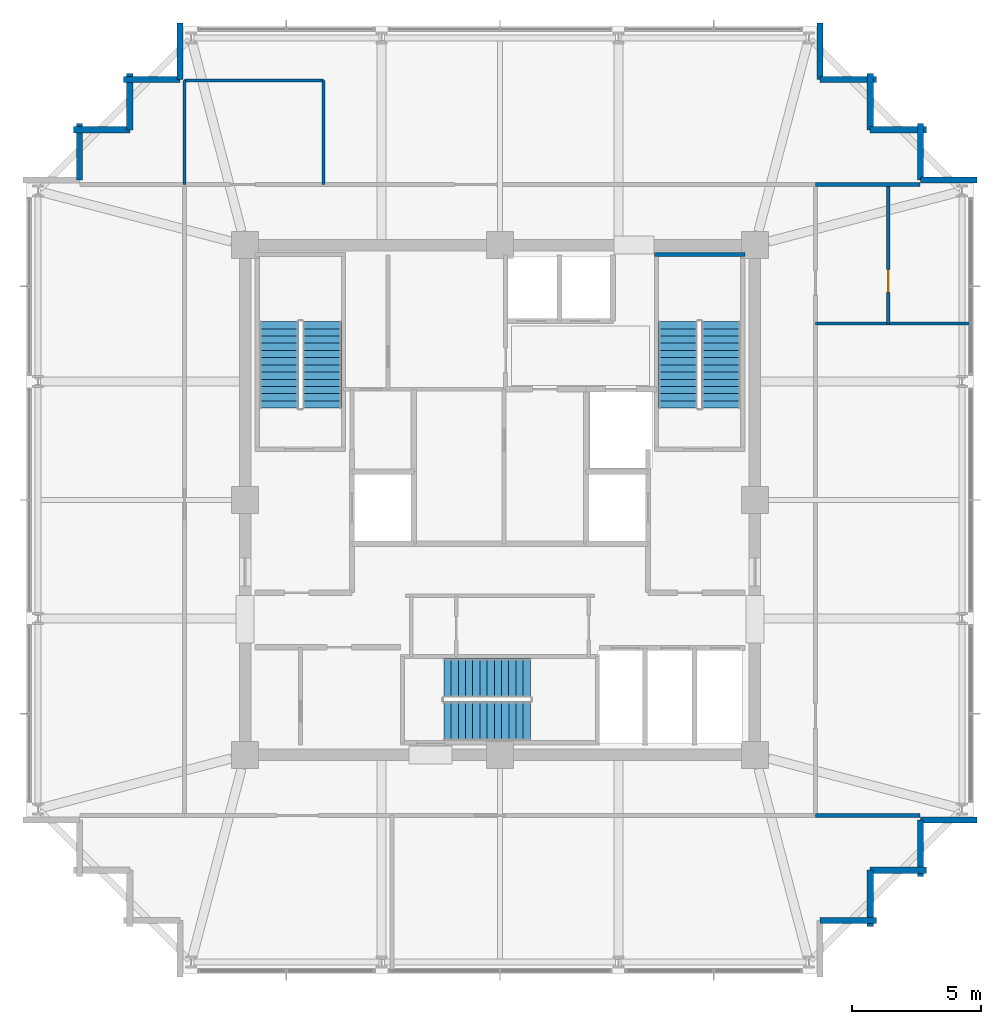
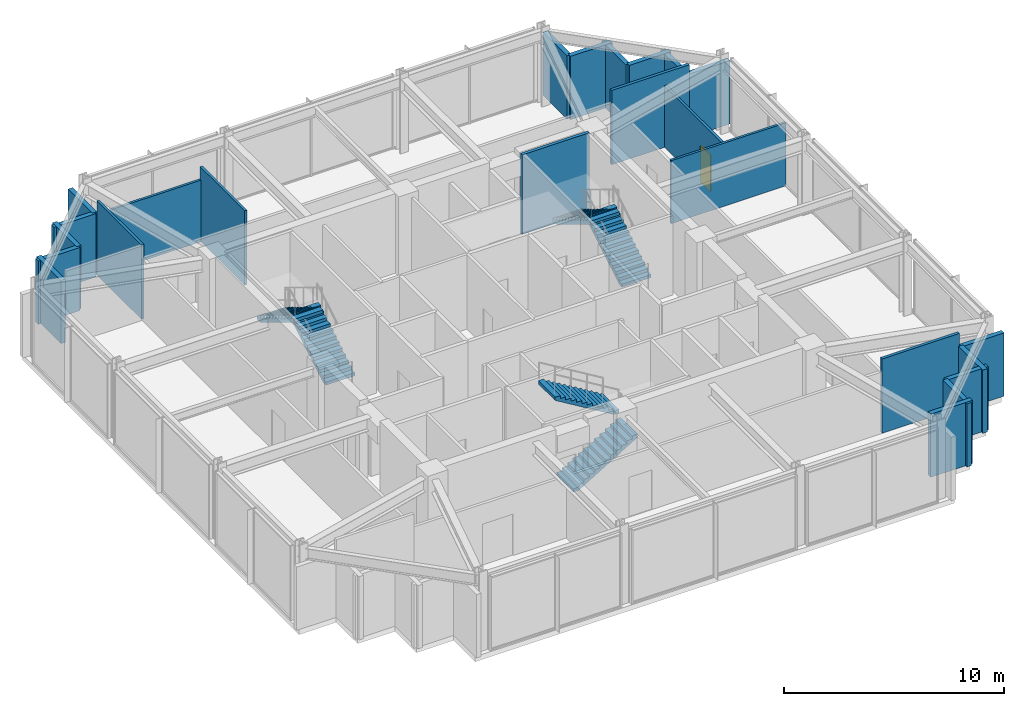
# One storey, part 25 of 26: 24 walls, 6 stair flights, 1 door, 1 opening, 3 elements without a shape of their own.
"""IFC4 building model written with IfcOpenShell, lengths in metres."""

from ifc_helpers import new_model, si_unit, direction, frame, frame_2d, origin, place, context, subcontext, project, spatial, polyline, rectangle, outline, extrude, material, layer, layer_set, type_object, element, fill, aggregate, save


model = new_model("IFC4")

# Units and contexts
model_context = context("Model", 3, precision=1e-05, world=origin(), true_north=direction((0.0, 1.0)))
body_context = subcontext(model_context, "Body", "Model", "MODEL_VIEW")
ifc_project = project(units=[si_unit("LENGTHUNIT", "METRE"), si_unit("AREAUNIT", "SQUARE_METRE"), si_unit("VOLUMEUNIT", "CUBIC_METRE"), si_unit("PLANEANGLEUNIT", "RADIAN"), si_unit("MASSUNIT", "GRAM", prefix="KILO")], contexts=[model_context])

# Site, building, storey
site_placement = place(None, origin())
site = spatial("IfcSite", under=ifc_project, at=site_placement, CompositionType="ELEMENT")
building_placement = place(site_placement, origin())
building = spatial("IfcBuilding", under=site, at=building_placement, Name="Kolvaren Belvedere", CompositionType="ELEMENT")
storey_placement = place(building_placement, frame((0.0, 0.0, 258.39990234375)))
storey = spatial("IfcBuildingStorey", under=building, at=storey_placement, Name="L75", CompositionType="ELEMENT", Elevation=258.39990234375)

# Walls
ifc_material_1 = material(Name="Concrete C50/60", Category="concrete")
ifc_layer_1 = layer(ifc_material_1, 0.159912109375)
ifc_layer_set_1 = layer_set([ifc_layer_1], Name="Concrete C50/60")
wall_type_1 = type_object("IfcWallType", Name="CW-STAIR-160", PredefinedType="SHEAR", material=ifc_layer_set_1)
wall_1_placement = place(storey_placement, frame((6.0, 9.530029296875, 0.0), z_axis=(0.0, 0.0, 1.0), x_axis=(1.0, 0.0, 0.0)))
element("IfcWall", 1, at=wall_1_placement, inside=storey, type_object=wall_type_1, Name="L75 Stair ST-2 North Shear Wall", PredefinedType="SHEAR", context=body_context, shape_type="SweptSolid", body=[
    extrude(rectangle(XDim=3.52001953125, YDim=0.159912109375, at=frame_2d((1.760009765625, 0.0))), origin(), (0.0, 0.0, 1.0), 4.400146484375),
])
ifc_material_2 = material(Name="Gypsum fire-rated partition assembly", Category="gypsum")
ifc_layer_2 = layer(ifc_material_2, 0.14990234375)
ifc_layer_set_2 = layer_set([ifc_layer_2], Name="Gypsum fire-rated partition assembly")
wall_type_2 = type_object("IfcWallType", Name="WL-CORR-150", PredefinedType="PARTITIONING", material=ifc_layer_set_2)
for number, where, z_axis, x_axis, name in (
    (2, (12.260009765625, -12.260009765625, 0.0), (0.0, 0.0, 1.0), (1.0, 0.0, 0.0), "L75 Sector Wall PW-L75-QSE"),
    (3, (12.260009765625, 12.260009765625, 0.0), (0.0, 0.0, 1.0), (1.0, 0.0, 0.0), "L75 Sector Wall PW-L75-QNE"),
):
    element("IfcWall", number, at=place(storey_placement, frame(where, z_axis=z_axis, x_axis=x_axis)), inside=storey, type_object=wall_type_2, Name=name, PredefinedType="PARTITIONING", context=body_context, shape_type="SweptSolid", body=[
        extrude(rectangle(XDim=4.06005859375, YDim=0.14990234375, at=frame_2d((2.030029296875, 0.0))), origin(), (0.0, 0.0, 1.0), 4.1201171875),
    ])
ifc_material_3 = material(Name="Insulated pale-metal facade wall assembly", Category="aluminium")
ifc_layer_3 = layer(ifc_material_3, 0.239990234375)
ifc_layer_set_3 = layer_set([ifc_layer_3], Name="Insulated pale-metal facade wall assembly")
wall_type_3 = type_object("IfcWallType", Name="WL-EXT-240", PredefinedType="STANDARD", material=ifc_layer_set_3)
for number, where, z_axis, x_axis, name in (
    (4, (14.6201171875, -16.330078125, 0.0), (0.0, 0.0, 1.0), (-1.0, 0.0, 0.0), "L75 Serrated Corner Facade Wall 3"),
    (5, (14.3798828125, -14.3798828125, 0.0), (0.0, 0.0, 1.0), (0.0, -1.0, 0.0), "L75 Serrated Corner Facade Wall 4"),
    (6, (16.570068359375, -14.3798828125, 0.0), (0.0, 0.0, 1.0), (-1.0, 0.0, 0.0), "L75 Serrated Corner Facade Wall 5"),
    (7, (16.330078125, -12.429931640625, 0.0), (0.0, 0.0, 1.0), (0.0, -1.0, 0.0), "L75 Serrated Corner Facade Wall 6"),
):
    element("IfcWall", number, at=place(storey_placement, frame(where, z_axis=z_axis, x_axis=x_axis)), inside=storey, type_object=wall_type_3, Name=name, PredefinedType="STANDARD", context=body_context, shape_type="SweptSolid", body=[
        extrude(rectangle(XDim=2.190185546875, YDim=0.239990234375, at=frame_2d((1.09521484375, 0.0))), origin(), (0.0, 0.0, 1.0), 3.503173828125),
    ])
for number, where, z_axis, x_axis, name in (
    (8, (18.52001953125, -12.429931640625, 0.0), (0.0, 0.0, 1.0), (-1.0, 0.0, 0.0), "L75 Serrated Corner Facade Wall 7"),
    (9, (16.330078125, 12.429931640625, 0.0), (0.0, 0.0, 1.0), (1.0, 0.0, 0.0), "L75 Serrated Corner Facade Wall 9"),
):
    element("IfcWall", number, at=place(storey_placement, frame(where, z_axis=z_axis, x_axis=x_axis)), inside=storey, type_object=wall_type_3, Name=name, PredefinedType="STANDARD", context=body_context, shape_type="SweptSolid", body=[
        extrude(rectangle(XDim=2.18994140625, YDim=0.239990234375, at=frame_2d((1.094970703125, 0.0))), origin(), (0.0, 0.0, 1.0), 3.503173828125),
    ])
for number, where, z_axis, x_axis, name in (
    (10, (16.330078125, 14.6201171875, 0.0), (0.0, 0.0, 1.0), (0.0, -1.0, 0.0), "L75 Serrated Corner Facade Wall 10"),
    (11, (14.3798828125, 14.3798828125, 0.0), (0.0, 0.0, 1.0), (1.0, 0.0, 0.0), "L75 Serrated Corner Facade Wall 11"),
    (12, (14.3798828125, 16.570068359375, 0.0), (0.0, 0.0, 1.0), (0.0, -1.0, 0.0), "L75 Serrated Corner Facade Wall 12"),
    (13, (12.429931640625, 16.330078125, 0.0), (0.0, 0.0, 1.0), (1.0, 0.0, 0.0), "L75 Serrated Corner Facade Wall 13"),
):
    element("IfcWall", number, at=place(storey_placement, frame(where, z_axis=z_axis, x_axis=x_axis)), inside=storey, type_object=wall_type_3, Name=name, PredefinedType="STANDARD", context=body_context, shape_type="SweptSolid", body=[
        extrude(rectangle(XDim=2.190185546875, YDim=0.239990234375, at=frame_2d((1.09521484375, 0.0))), origin(), (0.0, 0.0, 1.0), 3.503173828125),
    ])
for number, where, z_axis, x_axis, name in (
    (14, (12.429931640625, 18.52001953125, 0.0), (0.0, 0.0, 1.0), (0.0, -1.0, 0.0), "L75 Serrated Corner Facade Wall 14"),
    (15, (-12.429931640625, 16.330078125, 0.0), (0.0, 0.0, 1.0), (0.0, 1.0, 0.0), "L75 Serrated Corner Facade Wall 16"),
):
    element("IfcWall", number, at=place(storey_placement, frame(where, z_axis=z_axis, x_axis=x_axis)), inside=storey, type_object=wall_type_3, Name=name, PredefinedType="STANDARD", context=body_context, shape_type="SweptSolid", body=[
        extrude(rectangle(XDim=2.18994140625, YDim=0.239990234375, at=frame_2d((1.094970703125, 0.0))), origin(), (0.0, 0.0, 1.0), 3.503173828125),
    ])
for number, where, z_axis, x_axis, name in (
    (16, (-14.6201171875, 16.330078125, 0.0), (0.0, 0.0, 1.0), (1.0, 0.0, 0.0), "L75 Serrated Corner Facade Wall 17"),
    (17, (-14.3798828125, 14.3798828125, 0.0), (0.0, 0.0, 1.0), (0.0, 1.0, 0.0), "L75 Serrated Corner Facade Wall 18"),
    (18, (-16.570068359375, 14.3798828125, 0.0), (0.0, 0.0, 1.0), (1.0, 0.0, 0.0), "L75 Serrated Corner Facade Wall 19"),
    (19, (-16.330078125, 12.429931640625, 0.0), (0.0, 0.0, 1.0), (0.0, 1.0, 0.0), "L75 Serrated Corner Facade Wall 20"),
):
    element("IfcWall", number, at=place(storey_placement, frame(where, z_axis=z_axis, x_axis=x_axis)), inside=storey, type_object=wall_type_3, Name=name, PredefinedType="STANDARD", context=body_context, shape_type="SweptSolid", body=[
        extrude(rectangle(XDim=2.190185546875, YDim=0.239990234375, at=frame_2d((1.09521484375, 0.0))), origin(), (0.0, 0.0, 1.0), 3.503173828125),
    ])
ifc_material_4 = material(Name="Moisture-resistant gypsum partition", Category="gypsum")
ifc_layer_4 = layer(ifc_material_4, 0.125)
ifc_layer_set_4 = layer_set([ifc_layer_4], Name="Moisture-resistant gypsum partition")
wall_type_4 = type_object("IfcWallType", Name="WL-WET-125", PredefinedType="PARTITIONING", material=ifc_layer_set_4)
wall_2_placement = place(storey_placement, frame((12.260009765625, 6.860107421875, 0.0), z_axis=(0.0, 0.0, 1.0), x_axis=(1.0, 0.0, 0.0)))
element("IfcWall", 20, at=wall_2_placement, inside=storey, type_object=wall_type_4, Name="L75 East Washroom Wall", PredefinedType="PARTITIONING", context=body_context, shape_type="SweptSolid", body=[
    extrude(rectangle(XDim=6.02001953125, YDim=0.125, at=frame_2d((3.010009765625, 0.0))), origin(), (0.0, 0.0, 1.0), 3.4931640625),
])

# Wall, opening, door
wall_3_placement = place(storey_placement, frame((15.080078125, 6.860107421875, 0.0), z_axis=(0.0, 0.0, 1.0), x_axis=(0.0, 1.0, 0.0)))
wall_3 = element("IfcWall", 21, at=wall_3_placement, inside=storey, type_object=wall_type_4, Name="L75 East Washroom Back Wall", PredefinedType="PARTITIONING", context=body_context, shape_type="SweptSolid", body=[
    extrude(rectangle(XDim=5.39990234375, YDim=0.125, at=frame_2d((2.699951171875, 0.0))), origin(), (0.0, 0.0, 1.0), 3.4091796875),
])
opening_placement = place(wall_3_placement, frame((1.199951171875, 0.0, 0.0)))
opening = element("IfcOpeningElement", 22, at=opening_placement, cuts=wall_3, Name="Opening D-INT90", PredefinedType="OPENING", context=body_context, shape_type="SweptSolid", body=[
    extrude(rectangle(XDim=0.89990234375, YDim=2.06005859375, at=frame_2d((0.449951171875, 1.030029296875))), frame((0.0, 0.072509765625, 0.0), z_axis=(0.0, -1.0, 0.0), x_axis=(1.0, 0.0, 0.0)), (0.0, 0.0, 1.0), 0.14501953125),
])
ifc_material_5 = material(Name="Stained Pacific white oak", Category="timber")
door_type = type_object("IfcDoorType", Name="DR-INT-900", OperationType="NOTDEFINED", PredefinedType="DOOR", material=ifc_material_5)
door_placement = place(opening_placement, origin())
door = element("IfcDoor", 23, at=door_placement, inside=storey, type_object=door_type, Name="L75 Hospitality Service Pantry Door", OperationType="SINGLE_SWING_LEFT", OverallHeight=2.06005859375, OverallWidth=0.89990234375, PredefinedType="DOOR", context=body_context, shape_type="SweptSolid", body=[
    extrude(rectangle(XDim=0.89990234375, YDim=2.06005859375, at=frame_2d((0.449951171875, 1.030029296875))), frame((0.0, 0.02490234375, 0.0), z_axis=(0.0, -1.0, 0.0), x_axis=(1.0, 0.0, 0.0)), (0.0, 0.0, 1.0), 0.050048828125),
])
fill(opening, door)

# Walls
for number, where, z_axis, x_axis, name in (
    (24, (-12.260009765625, 12.260009765625, 0.0), (0.0, 0.0, 1.0), (0.0, 1.0, 0.0), "L75 Accessible WC West Wall"),
    (25, (-6.860107421875, 12.260009765625, 0.0), (0.0, 0.0, 1.0), (0.0, 1.0, 0.0), "L75 Accessible WC East Wall"),
):
    element("IfcWall", number, at=place(storey_placement, frame(where, z_axis=z_axis, x_axis=x_axis)), inside=storey, type_object=wall_type_4, Name=name, PredefinedType="PARTITIONING", context=body_context, shape_type="SweptSolid", body=[
        extrude(rectangle(XDim=4.0400390625, YDim=0.125, at=frame_2d((2.02001953125, 0.0))), origin(), (0.0, 0.0, 1.0), 4.1201171875),
    ])
wall_4_placement = place(storey_placement, frame((-12.260009765625, 16.300048828125, 0.0), z_axis=(0.0, 0.0, 1.0), x_axis=(1.0, 0.0, 0.0)))
element("IfcWall", 26, at=wall_4_placement, inside=storey, type_object=wall_type_4, Name="L75 Accessible WC North Wall", PredefinedType="PARTITIONING", context=body_context, shape_type="SweptSolid", body=[
    extrude(rectangle(XDim=5.39990234375, YDim=0.125, at=frame_2d((2.699951171875, 0.0))), origin(), (0.0, 0.0, 1.0), 3.4091796875),
])

# Stair, stair flights
ifc_material_6 = material(Name="Concrete C50/60", Category="concrete")
stair_type = type_object("IfcStairType", Name="ST-CORE-1520", PredefinedType="HALF_TURN_STAIR", material=ifc_material_6)
stair_1_placement = place(storey_placement, origin())
stair_1 = element("IfcStair", 27, at=stair_1_placement, inside=storey, type_object=stair_type, Name="L75 Protected Exit Stair ST-1", PredefinedType="HALF_TURN_STAIR")
ifc_material_7 = material(Name="Concrete C50/60", Category="concrete")
stair_flight_type = type_object("IfcStairFlightType", Name="SF-STR-1520", PredefinedType="STRAIGHT", material=ifc_material_7)
stair_flight_1_placement = place(storey_placement, frame((-6.919921875, 3.570068359375, 0.0), z_axis=(0.0, 0.0, 1.0), x_axis=(0.0, 1.0, 0.0)))
stair_flight_1 = element("IfcStairFlight", 28, at=stair_flight_1_placement, type_object=stair_flight_type, Name="ST-1 flight 1", NumberOfRisers=13, NumberOfTreads=12, PredefinedType="STRAIGHT", RiserHeight=0.169230769, TreadLength=0.28, context=body_context, shape_type="SweptSolid", body=[
    extrude(outline(polyline([(0.0, 0.0), (0.0, 0.169189453125), (0.280029296875, 0.169189453125), (0.280029296875, 0.33837890625), (0.56005859375, 0.33837890625), (0.56005859375, 0.5078125), (0.840087890625, 0.5078125), (0.840087890625, 0.677001953125), (1.1201171875, 0.677001953125), (1.1201171875, 0.84619140625), (1.39990234375, 0.84619140625), (1.39990234375, 1.015380859375), (1.679931640625, 1.015380859375), (1.679931640625, 1.1845703125), (1.9599609375, 1.1845703125), (1.9599609375, 1.353759765625), (2.239990234375, 1.353759765625), (2.239990234375, 1.523193359375), (2.52001953125, 1.523193359375), (2.52001953125, 1.6923828125), (2.800048828125, 1.6923828125), (2.800048828125, 1.861572265625), (3.080078125, 1.861572265625), (3.080078125, 2.03076171875), (3.360107421875, 2.03076171875), (3.360107421875, 2.199951171875), (3.360107421875, 1.855712890625), (0.289794921875, 0.0), (0.0, 0.0)])), frame((0.0, 0.760009765625, 0.0), z_axis=(0.0, -1.0, 0.0), x_axis=(1.0, 0.0, 0.0)), (0.0, 0.0, 1.0), 1.52001953125),
])
stair_flight_2_placement = place(storey_placement, frame((-8.590087890625, 6.929931640625, 2.2001953125), z_axis=(0.0, 0.0, 1.0), x_axis=(0.0, -1.0, 0.0)))
stair_flight_2 = element("IfcStairFlight", 29, at=stair_flight_2_placement, type_object=stair_flight_type, Name="ST-1 flight 2", NumberOfRisers=13, NumberOfTreads=12, PredefinedType="STRAIGHT", RiserHeight=0.169230769, TreadLength=0.28, context=body_context, shape_type="SweptSolid", body=[
    extrude(outline(polyline([(0.0, 0.0), (0.0, 0.169189453125), (0.280029296875, 0.169189453125), (0.280029296875, 0.33837890625), (0.56005859375, 0.33837890625), (0.56005859375, 0.5078125), (0.840087890625, 0.5078125), (0.840087890625, 0.677001953125), (1.1201171875, 0.677001953125), (1.1201171875, 0.84619140625), (1.39990234375, 0.84619140625), (1.39990234375, 1.015380859375), (1.679931640625, 1.015380859375), (1.679931640625, 1.1845703125), (1.9599609375, 1.1845703125), (1.9599609375, 1.353759765625), (2.239990234375, 1.353759765625), (2.239990234375, 1.523193359375), (2.52001953125, 1.523193359375), (2.52001953125, 1.6923828125), (2.800048828125, 1.6923828125), (2.800048828125, 1.861572265625), (3.080078125, 1.861572265625), (3.080078125, 2.03076171875), (3.360107421875, 2.03076171875), (3.360107421875, 2.199951171875), (3.360107421875, 1.855712890625), (0.289794921875, 0.0), (0.0, 0.0)])), frame((0.0, 0.760009765625, 0.0), z_axis=(0.0, -1.0, 0.0), x_axis=(1.0, 0.0, 0.0)), (0.0, 0.0, 1.0), 1.52001953125),
])
aggregate(stair_1, [stair_flight_1, stair_flight_2])

stair_2_placement = place(storey_placement, origin())
stair_2 = element("IfcStair", 30, at=stair_2_placement, inside=storey, type_object=stair_type, Name="L75 Protected Exit Stair ST-2", PredefinedType="HALF_TURN_STAIR")
stair_flight_3_placement = place(storey_placement, frame((8.590087890625, 3.570068359375, 0.0), z_axis=(0.0, 0.0, 1.0), x_axis=(0.0, 1.0, 0.0)))
stair_flight_3 = element("IfcStairFlight", 31, at=stair_flight_3_placement, type_object=stair_flight_type, Name="ST-2 flight 1", NumberOfRisers=13, NumberOfTreads=12, PredefinedType="STRAIGHT", RiserHeight=0.169230769, TreadLength=0.28, context=body_context, shape_type="SweptSolid", body=[
    extrude(outline(polyline([(0.0, 0.0), (0.0, 0.169189453125), (0.280029296875, 0.169189453125), (0.280029296875, 0.33837890625), (0.56005859375, 0.33837890625), (0.56005859375, 0.5078125), (0.840087890625, 0.5078125), (0.840087890625, 0.677001953125), (1.1201171875, 0.677001953125), (1.1201171875, 0.84619140625), (1.39990234375, 0.84619140625), (1.39990234375, 1.015380859375), (1.679931640625, 1.015380859375), (1.679931640625, 1.1845703125), (1.9599609375, 1.1845703125), (1.9599609375, 1.353759765625), (2.239990234375, 1.353759765625), (2.239990234375, 1.523193359375), (2.52001953125, 1.523193359375), (2.52001953125, 1.6923828125), (2.800048828125, 1.6923828125), (2.800048828125, 1.861572265625), (3.080078125, 1.861572265625), (3.080078125, 2.03076171875), (3.360107421875, 2.03076171875), (3.360107421875, 2.199951171875), (3.360107421875, 1.855712890625), (0.289794921875, 0.0), (0.0, 0.0)])), frame((0.0, 0.760009765625, 0.0), z_axis=(0.0, -1.0, 0.0), x_axis=(1.0, 0.0, 0.0)), (0.0, 0.0, 1.0), 1.52001953125),
])
stair_flight_4_placement = place(storey_placement, frame((6.919921875, 6.929931640625, 2.2001953125), z_axis=(0.0, 0.0, 1.0), x_axis=(0.0, -1.0, 0.0)))
stair_flight_4 = element("IfcStairFlight", 32, at=stair_flight_4_placement, type_object=stair_flight_type, Name="ST-2 flight 2", NumberOfRisers=13, NumberOfTreads=12, PredefinedType="STRAIGHT", RiserHeight=0.169230769, TreadLength=0.28, context=body_context, shape_type="SweptSolid", body=[
    extrude(outline(polyline([(0.0, 0.0), (0.0, 0.169189453125), (0.280029296875, 0.169189453125), (0.280029296875, 0.33837890625), (0.56005859375, 0.33837890625), (0.56005859375, 0.5078125), (0.840087890625, 0.5078125), (0.840087890625, 0.677001953125), (1.1201171875, 0.677001953125), (1.1201171875, 0.84619140625), (1.39990234375, 0.84619140625), (1.39990234375, 1.015380859375), (1.679931640625, 1.015380859375), (1.679931640625, 1.1845703125), (1.9599609375, 1.1845703125), (1.9599609375, 1.353759765625), (2.239990234375, 1.353759765625), (2.239990234375, 1.523193359375), (2.52001953125, 1.523193359375), (2.52001953125, 1.6923828125), (2.800048828125, 1.6923828125), (2.800048828125, 1.861572265625), (3.080078125, 1.861572265625), (3.080078125, 2.03076171875), (3.360107421875, 2.03076171875), (3.360107421875, 2.199951171875), (3.360107421875, 1.855712890625), (0.289794921875, 0.0), (0.0, 0.0)])), frame((0.0, 0.760009765625, 0.0), z_axis=(0.0, -1.0, 0.0), x_axis=(1.0, 0.0, 0.0)), (0.0, 0.0, 1.0), 1.52001953125),
])
aggregate(stair_2, [stair_flight_3, stair_flight_4])

stair_3_placement = place(storey_placement, origin())
stair_3 = element("IfcStair", 33, at=stair_3_placement, inside=storey, type_object=stair_type, Name="L75 Protected Exit Stair ST-3", PredefinedType="HALF_TURN_STAIR")
stair_flight_5_placement = place(storey_placement, frame((-2.179931640625, -8.590087890625, 0.0), z_axis=(0.0, 0.0, 1.0), x_axis=(1.0, 0.0, 0.0)))
stair_flight_5 = element("IfcStairFlight", 34, at=stair_flight_5_placement, type_object=stair_flight_type, Name="ST-3 flight 1", NumberOfRisers=13, NumberOfTreads=12, PredefinedType="STRAIGHT", RiserHeight=0.169230769, TreadLength=0.28, context=body_context, shape_type="SweptSolid", body=[
    extrude(outline(polyline([(0.0, 0.0), (0.0, 0.169189453125), (0.280029296875, 0.169189453125), (0.280029296875, 0.33837890625), (0.56005859375, 0.33837890625), (0.56005859375, 0.5078125), (0.840087890625, 0.5078125), (0.840087890625, 0.677001953125), (1.1201171875, 0.677001953125), (1.1201171875, 0.84619140625), (1.39990234375, 0.84619140625), (1.39990234375, 1.015380859375), (1.679931640625, 1.015380859375), (1.679931640625, 1.1845703125), (1.9599609375, 1.1845703125), (1.9599609375, 1.353759765625), (2.239990234375, 1.353759765625), (2.239990234375, 1.523193359375), (2.52001953125, 1.523193359375), (2.52001953125, 1.6923828125), (2.800048828125, 1.6923828125), (2.800048828125, 1.861572265625), (3.080078125, 1.861572265625), (3.080078125, 2.03076171875), (3.360107421875, 2.03076171875), (3.360107421875, 2.199951171875), (3.360107421875, 1.855712890625), (0.289794921875, 0.0), (0.0, 0.0)])), frame((0.0, 0.760009765625, 0.0), z_axis=(0.0, -1.0, 0.0), x_axis=(1.0, 0.0, 0.0)), (0.0, 0.0, 1.0), 1.52001953125),
])
stair_flight_6_placement = place(storey_placement, frame((1.179931640625, -6.919921875, 2.2001953125), z_axis=(0.0, 0.0, 1.0), x_axis=(-1.0, 0.0, 0.0)))
stair_flight_6 = element("IfcStairFlight", 35, at=stair_flight_6_placement, type_object=stair_flight_type, Name="ST-3 flight 2", NumberOfRisers=13, NumberOfTreads=12, PredefinedType="STRAIGHT", RiserHeight=0.169230769, TreadLength=0.28, context=body_context, shape_type="SweptSolid", body=[
    extrude(outline(polyline([(0.0, 0.0), (0.0, 0.169189453125), (0.280029296875, 0.169189453125), (0.280029296875, 0.33837890625), (0.56005859375, 0.33837890625), (0.56005859375, 0.5078125), (0.840087890625, 0.5078125), (0.840087890625, 0.677001953125), (1.1201171875, 0.677001953125), (1.1201171875, 0.84619140625), (1.39990234375, 0.84619140625), (1.39990234375, 1.015380859375), (1.679931640625, 1.015380859375), (1.679931640625, 1.1845703125), (1.9599609375, 1.1845703125), (1.9599609375, 1.353759765625), (2.239990234375, 1.353759765625), (2.239990234375, 1.523193359375), (2.52001953125, 1.523193359375), (2.52001953125, 1.6923828125), (2.800048828125, 1.6923828125), (2.800048828125, 1.861572265625), (3.080078125, 1.861572265625), (3.080078125, 2.03076171875), (3.360107421875, 2.03076171875), (3.360107421875, 2.199951171875), (3.360107421875, 1.855712890625), (0.289794921875, 0.0), (0.0, 0.0)])), frame((0.0, 0.760009765625, 0.0), z_axis=(0.0, -1.0, 0.0), x_axis=(1.0, 0.0, 0.0)), (0.0, 0.0, 1.0), 1.52001953125),
])
aggregate(stair_3, [stair_flight_5, stair_flight_6])

save(model, "model.ifc")
